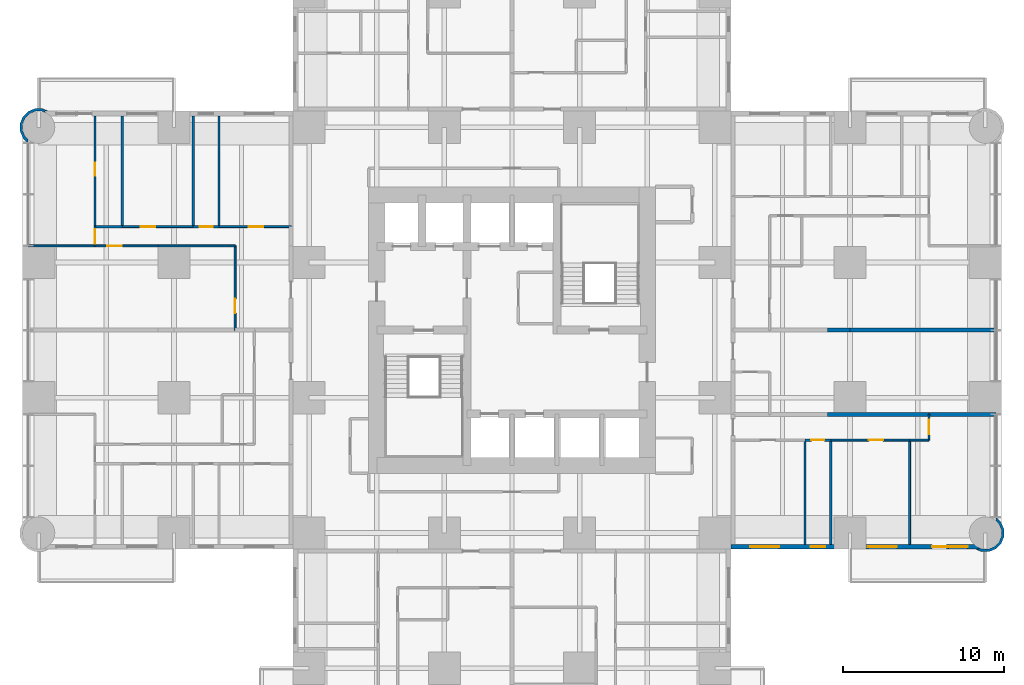
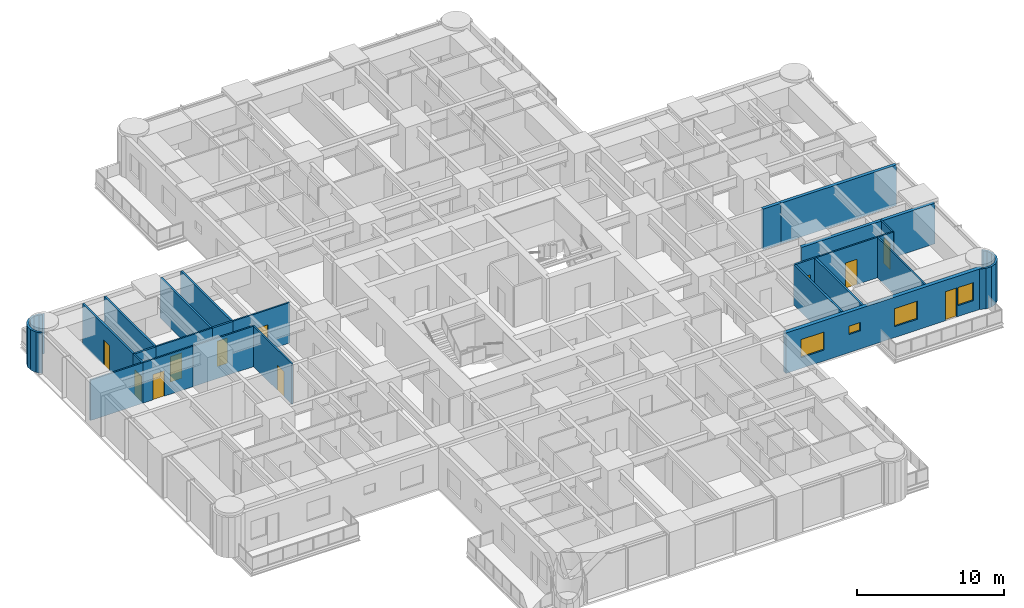
# One storey, part 11 of 17: 27 walls, 11 doors, 4 windows, 15 openings.
"""IFC4 building model written with IfcOpenShell, lengths in metres."""

from ifc_helpers import new_model, si_unit, direction, frame, frame_2d, origin, place, context, subcontext, project, spatial, polyline, rectangle, outline, extrude, material, layer, layer_set, type_object, element, fill, save


model = new_model("IFC4")

# Units and contexts
model_context = context("Model", 3, precision=1e-05, world=origin(), true_north=direction((0.0, 1.0)))
body_context = subcontext(model_context, "Body", "Model", "MODEL_VIEW")
ifc_project = project(units=[si_unit("LENGTHUNIT", "METRE"), si_unit("AREAUNIT", "SQUARE_METRE"), si_unit("VOLUMEUNIT", "CUBIC_METRE"), si_unit("PLANEANGLEUNIT", "RADIAN"), si_unit("MASSUNIT", "GRAM", prefix="KILO")], contexts=[model_context])

# Site, building, storey
site_placement = place(None, origin())
site = spatial("IfcSite", under=ifc_project, at=site_placement, CompositionType="ELEMENT")
building_placement = place(site_placement, origin())
building = spatial("IfcBuilding", under=site, at=building_placement, Name="Torre Alcanfor", CompositionType="ELEMENT")
storey_placement = place(building_placement, frame((0.0, 0.0, 99.300048828125)))
storey = spatial("IfcBuildingStorey", under=building, at=storey_placement, Name="L25", CompositionType="ELEMENT", Elevation=99.300048828125)

# Wall, opening, door
ifc_material_1 = material(Name="Gypsum board on steel studs", Category="steel")
ifc_layer_1 = layer(ifc_material_1, 0.1201171875)
ifc_layer_set_1 = layer_set([ifc_layer_1], Name="Apartment partition 120")
wall_type_1 = type_object("IfcWallType", Name="Apartment partition 120", PredefinedType="PARTITIONING", material=ifc_layer_set_1)
wall_1_placement = place(storey_placement, frame((54.10009765625, 22.571044921875, 0.0), z_axis=(0.0, 0.0, 1.0), x_axis=(-1.0, 0.0, 0.0)))
wall_1 = element("IfcWall", 1, at=wall_1_placement, inside=storey, type_object=wall_type_1, Name="Partition L25-E2B-HALL / L25-E2B-MASTER", PredefinedType="PARTITIONING", context=body_context, shape_type="SweptSolid", body=[
    extrude(rectangle(XDim=4.900146484375, YDim=0.1201171875, at=frame_2d((2.4501953125, 0.0))), origin(), (0.0, 0.0, 1.0), 3.349853515625),
])
opening_1_placement = place(wall_1_placement, frame((1.64990234375, 0.0, 0.0)))
opening_1 = element("IfcOpeningElement", 2, at=opening_1_placement, cuts=wall_1, Name="Opening D-R1", PredefinedType="OPENING", context=body_context, shape_type="SweptSolid", body=[
    extrude(rectangle(XDim=0.89990234375, YDim=2.10009765625, at=frame_2d((0.449951171875, 1.050048828125))), frame((0.0, 0.070068359375, 0.0), z_axis=(0.0, -1.0, 0.0), x_axis=(1.0, 0.0, 0.0)), (0.0, 0.0, 1.0), 0.14013671875),
])
ifc_material_2 = material(Name="Timber", Category="wood")
door_type_1 = type_object("IfcDoorType", Name="Internal door 900x2100", OperationType="SINGLE_SWING_LEFT", PredefinedType="DOOR", material=ifc_material_2)
door_1_placement = place(opening_1_placement, origin())
door_1 = element("IfcDoor", 3, at=door_1_placement, inside=storey, type_object=door_type_1, Name="Door L25-E2B master", OperationType="SINGLE_SWING_LEFT", OverallHeight=2.10009765625, OverallWidth=0.89990234375, PredefinedType="DOOR", context=body_context, shape_type="SweptSolid", body=[
    extrude(rectangle(XDim=0.89990234375, YDim=2.10009765625, at=frame_2d((0.449951171875, 1.050048828125))), frame((0.0, 0.02490234375, 0.0), z_axis=(0.0, -1.0, 0.0), x_axis=(1.0, 0.0, 0.0)), (0.0, 0.0, 1.0), 0.050048828125),
])
fill(opening_1, door_1)

# Wall
wall_2_placement = place(storey_placement, frame((55.300048828125, 22.571044921875, 0.0), z_axis=(0.0, 0.0, 1.0), x_axis=(-1.0, 0.0, 0.0)))
element("IfcWall", 4, at=wall_2_placement, inside=storey, type_object=wall_type_1, Name="Partition L25-E2B-HALL / L25-E2B-KITCHEN", PredefinedType="PARTITIONING", context=body_context, shape_type="SweptSolid", body=[
    extrude(rectangle(XDim=1.199951171875, YDim=0.1201171875, at=frame_2d((0.60009765625, 0.0))), origin(), (0.0, 0.0, 1.0), 3.349853515625),
])

# Wall, opening, door
wall_3_placement = place(storey_placement, frame((55.300048828125, 24.1708984375, 0.0), z_axis=(0.0, 0.0, 1.0), x_axis=(0.0, -1.0, 0.0)))
wall_3 = element("IfcWall", 5, at=wall_3_placement, inside=storey, type_object=wall_type_1, Name="Partition L25-E2B-HALL / L25-E2B-LIVING", PredefinedType="PARTITIONING", context=body_context, shape_type="SweptSolid", body=[
    extrude(rectangle(XDim=1.599853515625, YDim=0.1201171875, at=frame_2d((0.7998046875, 0.0))), origin(), (0.0, 0.0, 1.0), 3.349853515625),
])
opening_2_placement = place(wall_3_placement, frame((0.35009765625, 0.0, 0.0)))
opening_2 = element("IfcOpeningElement", 6, at=opening_2_placement, cuts=wall_3, Name="Opening D-R1", PredefinedType="OPENING", context=body_context, shape_type="SweptSolid", body=[
    extrude(rectangle(XDim=0.89990234375, YDim=2.10009765625, at=frame_2d((0.449951171875, 1.050048828125))), frame((0.0, 0.070068359375, 0.0), z_axis=(0.0, -1.0, 0.0), x_axis=(1.0, 0.0, 0.0)), (0.0, 0.0, 1.0), 0.14013671875),
])
door_2_placement = place(opening_2_placement, origin())
door_2 = element("IfcDoor", 7, at=door_2_placement, inside=storey, type_object=door_type_1, Name="Door L25-E2B living", OperationType="SINGLE_SWING_LEFT", OverallHeight=2.10009765625, OverallWidth=0.89990234375, PredefinedType="DOOR", context=body_context, shape_type="SweptSolid", body=[
    extrude(rectangle(XDim=0.89990234375, YDim=2.10009765625, at=frame_2d((0.449951171875, 1.050048828125))), frame((0.0, 0.02490234375, 0.0), z_axis=(0.0, -1.0, 0.0), x_axis=(1.0, 0.0, 0.0)), (0.0, 0.0, 1.0), 0.050048828125),
])
fill(opening_2, door_2)

# Wall
wall_4_placement = place(storey_placement, frame((54.10009765625, 22.571044921875, 0.0), z_axis=(0.0, 0.0, 1.0), x_axis=(0.0, -1.0, 0.0)))
element("IfcWall", 8, at=wall_4_placement, inside=storey, type_object=wall_type_1, Name="Partition L25-E2B-MASTER / L25-E2B-KITCHEN", PredefinedType="PARTITIONING", context=body_context, shape_type="SweptSolid", body=[
    extrude(rectangle(XDim=6.470947265625, YDim=0.1201171875, at=frame_2d((3.2353515625, 0.0))), origin(), (0.0, 0.0, 1.0), 3.349853515625),
])

# Wall, opening, door
wall_5_placement = place(storey_placement, frame((12.199951171875, 29.39990234375, 0.0), z_axis=(0.0, 0.0, 1.0), x_axis=(0.0, 1.0, 0.0)))
wall_5 = element("IfcWall", 9, at=wall_5_placement, inside=storey, type_object=wall_type_1, Name="Partition L25-W2-ZAG / L25-W2-KITCHEN", PredefinedType="PARTITIONING", context=body_context, shape_type="SweptSolid", body=[
    extrude(rectangle(XDim=5.22900390625, YDim=0.1201171875, at=frame_2d((2.614501953125, 0.0))), origin(), (0.0, 0.0, 1.0), 3.349853515625),
])
opening_3_placement = place(wall_5_placement, frame((1.050048828125, 0.0, 0.0)))
opening_3 = element("IfcOpeningElement", 10, at=opening_3_placement, cuts=wall_5, Name="Opening D-R1", PredefinedType="OPENING", context=body_context, shape_type="SweptSolid", body=[
    extrude(rectangle(XDim=0.89990234375, YDim=2.10009765625, at=frame_2d((0.449951171875, 1.050048828125))), frame((0.0, 0.070068359375, 0.0), z_axis=(0.0, -1.0, 0.0), x_axis=(1.0, 0.0, 0.0)), (0.0, 0.0, 1.0), 0.14013671875),
])
door_3_placement = place(opening_3_placement, origin())
door_3 = element("IfcDoor", 11, at=door_3_placement, inside=storey, type_object=door_type_1, Name="Door L25-W2 kitchen", OperationType="SINGLE_SWING_LEFT", OverallHeight=2.10009765625, OverallWidth=0.89990234375, PredefinedType="DOOR", context=body_context, shape_type="SweptSolid", body=[
    extrude(rectangle(XDim=0.89990234375, YDim=2.10009765625, at=frame_2d((0.449951171875, 1.050048828125))), frame((0.0, 0.02490234375, 0.0), z_axis=(0.0, -1.0, 0.0), x_axis=(1.0, 0.0, 0.0)), (0.0, 0.0, 1.0), 0.050048828125),
])
fill(opening_3, door_3)

# Wall
wall_6_placement = place(storey_placement, frame((7.39990234375, 34.62890625, 0.0), z_axis=(0.0, 0.0, 1.0), x_axis=(1.0, 0.0, 0.0)))
element("IfcWall", 12, at=wall_6_placement, inside=storey, type_object=wall_type_1, Name="Partition L25-W2-KITCHEN / L25-W2-HALL", PredefinedType="PARTITIONING", context=body_context, shape_type="SweptSolid", body=[
    extrude(rectangle(XDim=4.800048828125, YDim=0.1201171875, at=frame_2d((2.39990234375, 0.0))), origin(), (0.0, 0.0, 1.0), 3.349853515625),
])

# Wall, opening, door
wall_7_placement = place(storey_placement, frame((3.5, 34.62890625, 0.0), z_axis=(0.0, 0.0, 1.0), x_axis=(1.0, 0.0, 0.0)))
wall_7 = element("IfcWall", 13, at=wall_7_placement, inside=storey, type_object=wall_type_1, Name="Partition L25-W2-LIVING / L25-W2-HALL", PredefinedType="PARTITIONING", context=body_context, shape_type="SweptSolid", body=[
    extrude(rectangle(XDim=3.89990234375, YDim=0.1201171875, at=frame_2d((1.949951171875, 0.0))), origin(), (0.0, 0.0, 1.0), 3.349853515625),
])
opening_4_placement = place(wall_7_placement, frame((0.75, 0.0, 0.0)))
opening_4 = element("IfcOpeningElement", 14, at=opening_4_placement, cuts=wall_7, Name="Opening D-R1", PredefinedType="OPENING", context=body_context, shape_type="SweptSolid", body=[
    extrude(rectangle(XDim=0.89990234375, YDim=2.10009765625, at=frame_2d((0.449951171875, 1.050048828125))), frame((0.0, 0.070068359375, 0.0), z_axis=(0.0, -1.0, 0.0), x_axis=(1.0, 0.0, 0.0)), (0.0, 0.0, 1.0), 0.14013671875),
])
door_4_placement = place(opening_4_placement, frame((0.89990234375, 0.0, 0.0), z_axis=(0.0, 0.0, 1.0), x_axis=(-1.0, 0.0, 0.0)))
door_4 = element("IfcDoor", 15, at=door_4_placement, inside=storey, type_object=door_type_1, Name="Door L25-W2 living", OperationType="SINGLE_SWING_LEFT", OverallHeight=2.10009765625, OverallWidth=0.89990234375, PredefinedType="DOOR", context=body_context, shape_type="SweptSolid", body=[
    extrude(rectangle(XDim=0.89990234375, YDim=2.10009765625, at=frame_2d((0.449951171875, 1.050048828125))), frame((0.0, 0.025146484375, 0.0), z_axis=(0.0, -1.0, 0.0), x_axis=(1.0, 0.0, 0.0)), (0.0, 0.0, 1.0), 0.050048828125),
])
fill(opening_4, door_4)

# Wall
wall_8_placement = place(storey_placement, frame((-0.64990234375, 34.62890625, 0.0), z_axis=(0.0, 0.0, 1.0), x_axis=(1.0, 0.0, 0.0)))
element("IfcWall", 16, at=wall_8_placement, inside=storey, type_object=wall_type_1, Name="Partition L25-W2-LIVING / L25-W2-MASTER", PredefinedType="PARTITIONING", context=body_context, shape_type="SweptSolid", body=[
    extrude(rectangle(XDim=4.14990234375, YDim=0.1201171875, at=frame_2d((2.074951171875, 0.0))), origin(), (0.0, 0.0, 1.0), 3.349853515625),
])

# Wall, opening, door
wall_9_placement = place(storey_placement, frame((11.199951171875, 35.8291015625, 0.0), z_axis=(0.0, 0.0, 1.0), x_axis=(1.0, 0.0, 0.0)))
wall_9 = element("IfcWall", 17, at=wall_9_placement, inside=storey, type_object=wall_type_1, Name="Partition L25-W2-HALL / L25-W2-BED3", PredefinedType="PARTITIONING", context=body_context, shape_type="SweptSolid", body=[
    extrude(rectangle(XDim=4.47509765625, YDim=0.1201171875, at=frame_2d((2.237548828125, 0.0))), origin(), (0.0, 0.0, 1.0), 3.349853515625),
])
opening_5_placement = place(wall_9_placement, frame((1.85009765625, 0.0, 0.0)))
opening_5 = element("IfcOpeningElement", 18, at=opening_5_placement, cuts=wall_9, Name="Opening D-R1", PredefinedType="OPENING", context=body_context, shape_type="SweptSolid", body=[
    extrude(rectangle(XDim=0.89990234375, YDim=2.10009765625, at=frame_2d((0.449951171875, 1.050048828125))), frame((0.0, 0.070068359375, 0.0), z_axis=(0.0, -1.0, 0.0), x_axis=(1.0, 0.0, 0.0)), (0.0, 0.0, 1.0), 0.14013671875),
])
door_5_placement = place(opening_5_placement, origin())
door_5 = element("IfcDoor", 19, at=door_5_placement, inside=storey, type_object=door_type_1, Name="Door L25-W2 bed3", OperationType="SINGLE_SWING_RIGHT", OverallHeight=2.10009765625, OverallWidth=0.89990234375, PredefinedType="DOOR", context=body_context, shape_type="SweptSolid", body=[
    extrude(rectangle(XDim=0.89990234375, YDim=2.10009765625, at=frame_2d((0.449951171875, 1.050048828125))), frame((0.0, 0.02490234375, 0.0), z_axis=(0.0, -1.0, 0.0), x_axis=(1.0, 0.0, 0.0)), (0.0, 0.0, 1.0), 0.050048828125),
])
fill(opening_5, door_5)

wall_10_placement = place(storey_placement, frame((5.199951171875, 35.8291015625, 0.0), z_axis=(0.0, 0.0, 1.0), x_axis=(1.0, 0.0, 0.0)))
wall_10 = element("IfcWall", 20, at=wall_10_placement, inside=storey, type_object=wall_type_1, Name="Partition L25-W2-HALL / L25-W2-BED2", PredefinedType="PARTITIONING", context=body_context, shape_type="SweptSolid", body=[
    extrude(rectangle(XDim=4.400146484375, YDim=0.1201171875, at=frame_2d((2.2001953125, 0.0))), origin(), (0.0, 0.0, 1.0), 3.349853515625),
])
opening_6_placement = place(wall_10_placement, frame((1.14990234375, 0.0, 0.0)))
opening_6 = element("IfcOpeningElement", 21, at=opening_6_placement, cuts=wall_10, Name="Opening D-R1", PredefinedType="OPENING", context=body_context, shape_type="SweptSolid", body=[
    extrude(rectangle(XDim=0.89990234375, YDim=2.10009765625, at=frame_2d((0.449951171875, 1.050048828125))), frame((0.0, 0.070068359375, 0.0), z_axis=(0.0, -1.0, 0.0), x_axis=(1.0, 0.0, 0.0)), (0.0, 0.0, 1.0), 0.14013671875),
])
door_6_placement = place(opening_6_placement, origin())
door_6 = element("IfcDoor", 22, at=door_6_placement, inside=storey, type_object=door_type_1, Name="Door L25-W2 bed2", OperationType="SINGLE_SWING_LEFT", OverallHeight=2.10009765625, OverallWidth=0.89990234375, PredefinedType="DOOR", context=body_context, shape_type="SweptSolid", body=[
    extrude(rectangle(XDim=0.89990234375, YDim=2.10009765625, at=frame_2d((0.449951171875, 1.050048828125))), frame((0.0, 0.02490234375, 0.0), z_axis=(0.0, -1.0, 0.0), x_axis=(1.0, 0.0, 0.0)), (0.0, 0.0, 1.0), 0.050048828125),
])
fill(opening_6, door_6)

wall_11_placement = place(storey_placement, frame((3.5, 34.62890625, 0.0), z_axis=(0.0, 0.0, 1.0), x_axis=(0.0, 1.0, 0.0)))
wall_11 = element("IfcWall", 23, at=wall_11_placement, inside=storey, type_object=wall_type_1, Name="Partition L25-W2-HALL / L25-W2-MASTER", PredefinedType="PARTITIONING", context=body_context, shape_type="SweptSolid", body=[
    extrude(rectangle(XDim=1.2001953125, YDim=0.1201171875, at=frame_2d((0.60009765625, 0.0))), origin(), (0.0, 0.0, 1.0), 3.349853515625),
])
opening_7_placement = place(wall_11_placement, frame((0.15087890625, 0.0, 0.0)))
opening_7 = element("IfcOpeningElement", 24, at=opening_7_placement, cuts=wall_11, Name="Opening D-R1", PredefinedType="OPENING", context=body_context, shape_type="SweptSolid", body=[
    extrude(rectangle(XDim=0.89990234375, YDim=2.10009765625, at=frame_2d((0.449951171875, 1.050048828125))), frame((0.0, 0.070068359375, 0.0), z_axis=(0.0, -1.0, 0.0), x_axis=(1.0, 0.0, 0.0)), (0.0, 0.0, 1.0), 0.14013671875),
])
door_7_placement = place(opening_7_placement, origin())
door_7 = element("IfcDoor", 25, at=door_7_placement, inside=storey, type_object=door_type_1, Name="Door L25-W2 master", OperationType="SINGLE_SWING_LEFT", OverallHeight=2.10009765625, OverallWidth=0.89990234375, PredefinedType="DOOR", context=body_context, shape_type="SweptSolid", body=[
    extrude(rectangle(XDim=0.89990234375, YDim=2.10009765625, at=frame_2d((0.449951171875, 1.050048828125))), frame((0.0, 0.02490234375, 0.0), z_axis=(0.0, -1.0, 0.0), x_axis=(1.0, 0.0, 0.0)), (0.0, 0.0, 1.0), 0.050048828125),
])
fill(opening_7, door_7)

# Wall, openings, door, windows
ifc_material_3 = material(Name="Limestone cladding", Category="masonry")
ifc_layer_2 = layer(ifc_material_3, 0.0400390625, Name="Facing")
ifc_material_4 = material(Name="Ventilated air cavity")
ifc_layer_3 = layer(ifc_material_4, 0.02001953125, ventilated=True, Name="Ventilated joint")
ifc_material_5 = material(Name="Mineral wool insulation", Category="insulation")
ifc_layer_4 = layer(ifc_material_5, 0.10009765625, Name="Insulation")
ifc_material_6 = material(Name="Concrete f'c 35 MPa", Category="concrete")
ifc_layer_5 = layer(ifc_material_6, 0.139892578125, Name="Backing")
ifc_layer_set_2 = layer_set([ifc_layer_2, ifc_layer_3, ifc_layer_4, ifc_layer_5], Name="External wall stone-clad 300")
wall_type_2 = type_object("IfcWallType", Name="External wall stone-clad 300", PredefinedType="SOLIDWALL", material=ifc_layer_set_2)
wall_12_placement = place(storey_placement, frame((43.0, 15.949951171875, 0.0), z_axis=(0.0, 0.0, 1.0), x_axis=(1.0, 0.0, 0.0)))
wall_12 = element("IfcWall", 26, at=wall_12_placement, inside=storey, type_object=wall_type_2, Name="External wall L25 7", PredefinedType="SOLIDWALL", context=body_context, shape_type="SweptSolid", body=[
    extrude(rectangle(XDim=15.39990234375, YDim=0.300048828125, at=frame_2d((7.699951171875, 0.0))), origin(), (0.0, 0.0, 1.0), 3.349853515625),
])
opening_8_placement = place(wall_12_placement, frame((1.199951171875, 0.0, 0.89990234375)))
opening_8 = element("IfcOpeningElement", 27, at=opening_8_placement, cuts=wall_12, Name="Opening W2", PredefinedType="OPENING", context=body_context, shape_type="SweptSolid", body=[
    extrude(rectangle(XDim=1.800048828125, YDim=1.5, at=frame_2d((0.89990234375, 0.75))), frame((0.0, 0.159912109375, 0.0), z_axis=(0.0, -1.0, 0.0), x_axis=(1.0, 0.0, 0.0)), (0.0, 0.0, 1.0), 0.320068359375),
])
opening_9_placement = place(wall_12_placement, frame((4.949951171875, 0.0, 1.5)))
opening_9 = element("IfcOpeningElement", 28, at=opening_9_placement, cuts=wall_12, Name="Opening W3", PredefinedType="OPENING", context=body_context, shape_type="SweptSolid", body=[
    extrude(rectangle(XDim=0.89990234375, YDim=0.699951171875, at=frame_2d((0.449951171875, 0.35009765625))), frame((0.0, 0.159912109375, 0.0), z_axis=(0.0, -1.0, 0.0), x_axis=(1.0, 0.0, 0.0)), (0.0, 0.0, 1.0), 0.320068359375),
])
opening_10_placement = place(wall_12_placement, frame((8.5, 0.0, 0.89990234375)))
opening_10 = element("IfcOpeningElement", 29, at=opening_10_placement, cuts=wall_12, Name="Opening W2", PredefinedType="OPENING", context=body_context, shape_type="SweptSolid", body=[
    extrude(rectangle(XDim=1.800048828125, YDim=1.5, at=frame_2d((0.89990234375, 0.75))), frame((0.0, 0.159912109375, 0.0), z_axis=(0.0, -1.0, 0.0), x_axis=(1.0, 0.0, 0.0)), (0.0, 0.0, 1.0), 0.320068359375),
])
opening_11_placement = place(wall_12_placement, frame((12.5, 0.0, 0.0)))
opening_11 = element("IfcOpeningElement", 30, at=opening_11_placement, cuts=wall_12, Name="Opening D-B1", PredefinedType="OPENING", context=body_context, shape_type="SweptSolid", body=[
    extrude(rectangle(XDim=0.89990234375, YDim=2.39990234375, at=frame_2d((0.449951171875, 1.199951171875))), frame((0.0, 0.159912109375, 0.0), z_axis=(0.0, -1.0, 0.0), x_axis=(1.0, 0.0, 0.0)), (0.0, 0.0, 1.0), 0.320068359375),
])
opening_12_placement = place(wall_12_placement, frame((13.5, 0.0, 0.89990234375)))
opening_12 = element("IfcOpeningElement", 31, at=opening_12_placement, cuts=wall_12, Name="Opening W4", PredefinedType="OPENING", context=body_context, shape_type="SweptSolid", body=[
    extrude(rectangle(XDim=1.199951171875, YDim=1.5, at=frame_2d((0.60009765625, 0.75))), frame((0.0, 0.159912109375, 0.0), z_axis=(0.0, -1.0, 0.0), x_axis=(1.0, 0.0, 0.0)), (0.0, 0.0, 1.0), 0.320068359375),
])
ifc_material_7 = material(Name="Aluminium and glass", Category="aluminium")
door_type_2 = type_object("IfcDoorType", Name="Balcony door glazed 900x2400", OperationType="SINGLE_SWING_LEFT", PredefinedType="DOOR", material=ifc_material_7)
door_8_placement = place(opening_11_placement, origin())
door_8 = element("IfcDoor", 32, at=door_8_placement, inside=storey, type_object=door_type_2, Name="Balcony door L25-E2", OperationType="SINGLE_SWING_LEFT", OverallHeight=2.39990234375, OverallWidth=0.89990234375, PredefinedType="DOOR", context=body_context, shape_type="SweptSolid", body=[
    extrude(rectangle(XDim=0.89990234375, YDim=2.39990234375, at=frame_2d((0.449951171875, 1.199951171875))), frame((0.0, 0.02490234375, 0.0), z_axis=(0.0, -1.0, 0.0), x_axis=(1.0, 0.0, 0.0)), (0.0, 0.0, 1.0), 0.050048828125),
])
fill(opening_11, door_8)
ifc_material_8 = material(Name="Aluminium frame with clear double glazing", Category="aluminium")
window_type_1 = type_object("IfcWindowType", Name="Window bathroom 900x700", PartitioningType="SINGLE_PANEL", PredefinedType="WINDOW", material=ifc_material_8)
window_1_placement = place(opening_9_placement, origin())
window_1 = element("IfcWindow", 33, at=window_1_placement, inside=storey, type_object=window_type_1, Name="Window W3 L25-E2", OverallHeight=0.699951171875, OverallWidth=0.89990234375, PartitioningType="SINGLE_PANEL", PredefinedType="WINDOW", context=body_context, shape_type="SweptSolid", body=[
    extrude(rectangle(XDim=0.89990234375, YDim=0.699951171875, at=frame_2d((0.449951171875, 0.35009765625))), frame((0.0, 0.030029296875, 0.0), z_axis=(0.0, -1.0, 0.0), x_axis=(1.0, 0.0, 0.0)), (0.0, 0.0, 1.0), 0.06005859375),
])
fill(opening_9, window_1)
ifc_material_9 = material(Name="Aluminium frame with clear double glazing", Category="aluminium")
window_type_2 = type_object("IfcWindowType", Name="Window bedroom 1200x1500", PartitioningType="SINGLE_PANEL", PredefinedType="WINDOW", material=ifc_material_9)
window_2_placement = place(opening_12_placement, origin())
window_2 = element("IfcWindow", 34, at=window_2_placement, inside=storey, type_object=window_type_2, Name="Window W4 L25-E2", OverallHeight=1.5, OverallWidth=1.199951171875, PartitioningType="SINGLE_PANEL", PredefinedType="WINDOW", context=body_context, shape_type="SweptSolid", body=[
    extrude(rectangle(XDim=1.199951171875, YDim=1.5, at=frame_2d((0.60009765625, 0.75))), frame((0.0, 0.030029296875, 0.0), z_axis=(0.0, -1.0, 0.0), x_axis=(1.0, 0.0, 0.0)), (0.0, 0.0, 1.0), 0.06005859375),
])
fill(opening_12, window_2)
ifc_material_10 = material(Name="Aluminium frame with clear double glazing", Category="aluminium")
window_type_3 = type_object("IfcWindowType", Name="Window bedroom 1800x1500", PartitioningType="SINGLE_PANEL", PredefinedType="WINDOW", material=ifc_material_10)
window_3_placement = place(opening_8_placement, origin())
window_3 = element("IfcWindow", 35, at=window_3_placement, inside=storey, type_object=window_type_3, Name="Window W2 L25-E2", OverallHeight=1.5, OverallWidth=1.800048828125, PartitioningType="SINGLE_PANEL", PredefinedType="WINDOW", context=body_context, shape_type="SweptSolid", body=[
    extrude(rectangle(XDim=1.800048828125, YDim=1.5, at=frame_2d((0.89990234375, 0.75))), frame((0.0, 0.030029296875, 0.0), z_axis=(0.0, -1.0, 0.0), x_axis=(1.0, 0.0, 0.0)), (0.0, 0.0, 1.0), 0.06005859375),
])
fill(opening_8, window_3)
window_4_placement = place(opening_10_placement, origin())
window_4 = element("IfcWindow", 36, at=window_4_placement, inside=storey, type_object=window_type_3, Name="Window W2 L25-E2", OverallHeight=1.5, OverallWidth=1.800048828125, PartitioningType="SINGLE_PANEL", PredefinedType="WINDOW", context=body_context, shape_type="SweptSolid", body=[
    extrude(rectangle(XDim=1.800048828125, YDim=1.5, at=frame_2d((0.89990234375, 0.75))), frame((0.0, 0.030029296875, 0.0), z_axis=(0.0, -1.0, 0.0), x_axis=(1.0, 0.0, 0.0)), (0.0, 0.0, 1.0), 0.06005859375),
])
fill(opening_10, window_4)

# Walls
ifc_material_11 = material(Name="Concrete block masonry, hollow blocks NMX-C-404 9 MPa", Category="masonry")
ifc_layer_6 = layer(ifc_material_11, 0.25)
ifc_layer_set_3 = layer_set([ifc_layer_6], Name="Party wall 250 EI 60")
wall_type_3 = type_object("IfcWallType", Name="Party wall 250 EI 60", PredefinedType="PARTITIONING", material=ifc_layer_set_3)
wall_13_placement = place(storey_placement, frame((50.39990234375, 29.39990234375, 0.0), z_axis=(0.0, 0.0, 1.0), x_axis=(-1.0, 0.0, 0.0)))
element("IfcWall", 37, at=wall_13_placement, inside=storey, type_object=wall_type_3, Name="Partition L25-E1-KITCHEN / L25-E2A-STUDIO", PredefinedType="PARTITIONING", context=body_context, shape_type="SweptSolid", body=[
    extrude(rectangle(XDim=1.39990234375, YDim=0.25, at=frame_2d((0.699951171875, 0.0))), origin(), (0.0, 0.0, 1.0), 3.349853515625),
])
wall_14_placement = place(storey_placement, frame((59.449951171875, 29.39990234375, 0.0), z_axis=(0.0, 0.0, 1.0), x_axis=(-1.0, 0.0, 0.0)))
element("IfcWall", 38, at=wall_14_placement, inside=storey, type_object=wall_type_3, Name="Partition L25-E1-LIVING / L25-E2A-STUDIO", PredefinedType="PARTITIONING", context=body_context, shape_type="SweptSolid", body=[
    extrude(rectangle(XDim=9.050048828125, YDim=0.25, at=frame_2d((4.52490234375, 0.0))), origin(), (0.0, 0.0, 1.0), 3.349853515625),
])
wall_15_placement = place(storey_placement, frame((55.300048828125, 24.1708984375, 0.0), z_axis=(0.0, 0.0, 1.0), x_axis=(-1.0, 0.0, 0.0)))
element("IfcWall", 39, at=wall_15_placement, inside=storey, type_object=wall_type_3, Name="Partition L25-E2A-STUDIO / L25-E2B-HALL", PredefinedType="PARTITIONING", context=body_context, shape_type="SweptSolid", body=[
    extrude(rectangle(XDim=6.300048828125, YDim=0.25, at=frame_2d((3.14990234375, 0.0))), origin(), (0.0, 0.0, 1.0), 3.349853515625),
])
wall_16_placement = place(storey_placement, frame((59.449951171875, 24.1708984375, 0.0), z_axis=(0.0, 0.0, 1.0), x_axis=(-1.0, 0.0, 0.0)))
element("IfcWall", 40, at=wall_16_placement, inside=storey, type_object=wall_type_3, Name="Partition L25-E2A-STUDIO / L25-E2B-LIVING", PredefinedType="PARTITIONING", context=body_context, shape_type="SweptSolid", body=[
    extrude(rectangle(XDim=4.14990234375, YDim=0.25, at=frame_2d((2.074951171875, 0.0))), origin(), (0.0, 0.0, 1.0), 3.349853515625),
])
ifc_layer_7 = layer(ifc_material_3, 0.0400390625, Name="Facing")
ifc_layer_8 = layer(ifc_material_4, 0.02001953125, ventilated=True, Name="Ventilated joint")
ifc_layer_9 = layer(ifc_material_5, 0.10009765625, Name="Insulation")
ifc_layer_10 = layer(ifc_material_6, 0.139892578125, Name="Backing")
ifc_layer_set_4 = layer_set([ifc_layer_7, ifc_layer_8, ifc_layer_9, ifc_layer_10], Name="Rounded corner pier stone-clad 300")
wall_type_4 = type_object("IfcWallType", Name="Rounded corner pier stone-clad 300", PredefinedType="SOLIDWALL", material=ifc_layer_set_4)
wall_17_placement = place(storey_placement, frame((0.56710175, 42.919127633, 0.0), z_axis=(0.0, 0.0, 1.0), x_axis=(-0.831199417842, 0.555974394895, 0.0)))
element("IfcWall", 41, at=wall_17_placement, inside=storey, type_object=wall_type_4, Name="Corner pier L25 13", PredefinedType="SOLIDWALL", context=body_context, shape_type="SweptSolid", body=[
    extrude(outline(polyline([(0.0035346486096882596, -0.09493172298277563), (0.4134762276337793, -0.013116324048090655), (0.7970130683862647, 0.2434245954711461), (1.0531909726939004, 0.6271376014735981), (1.1430288280848282, 1.0799333504065571), (1.0527519446898332, 1.532385418536847), (0.7962110251705964, 1.9159222592893324), (0.41249801916814444, 2.1721001635969683), (0.017275402111477822, 2.2505151054378154), (-0.02310757741748759, 2.223503654123356), (0.074893768557586, 2.0769885223649993), (0.3505674706005393, 2.0222929245428487), (0.6816138269103391, 1.8013802534353145), (0.9031348748761563, 1.470199235388724), (0.9809251585620924, 1.0798881158367415), (0.903383733639781, 0.6890681500412033), (0.6824710625322469, 0.3580217937314035), (0.35129004448565626, 0.13650074576558635), (0.12607933250637846, 0.09160085349504563), (0.1839390144451166, 0.025737524346643142), (0.0035346486096882596, -0.09493172298277563)])), origin(), (0.0, 0.0, 1.0), 3.349853515625),
])
wall_18_placement = place(storey_placement, frame((58.23289825, 15.880872367, 0.0), z_axis=(0.0, 0.0, 1.0), x_axis=(0.831199417842, -0.555974394895, 0.0)))
element("IfcWall", 42, at=wall_18_placement, inside=storey, type_object=wall_type_4, Name="Corner pier L25 17", PredefinedType="SOLIDWALL", context=body_context, shape_type="SweptSolid", body=[
    extrude(outline(polyline([(0.07490720727941269, 2.077056255461323), (0.35058090932236585, 2.0223606576391724), (0.6817630015684193, 1.801245056986267), (0.903148313597983, 1.470266968485048), (0.9810743332201726, 1.079752919387694), (0.9033971723616075, 0.6891358831375273), (0.6822815717087017, 0.357953790891474), (0.3513034832074829, 0.13656847886191043), (0.12609277122820509, 0.09166858659136967), (0.18374952362157154, 0.02566952150671363), (0.0035480873315148972, -0.09486398988645157), (0.41362540229185946, -0.013251520497138292), (0.7971622430443449, 0.2432893990220985), (1.053204411415727, 0.6272053345699222), (1.1431780027429084, 1.0797981539575094), (1.0527653834116597, 1.5324531516331712), (0.796224463892423, 1.9159899923856565), (0.4125114578899711, 2.172167896693292), (0.01728884083330451, 2.2505828385341395), (-0.023094138695660904, 2.22357138721968), (0.07490720727941269, 2.077056255461323)])), origin(), (0.0, 0.0, 1.0), 3.349853515625),
])

# Wall, opening, door
ifc_material_12 = material(Name="Cement board on steel studs", Category="steel")
ifc_layer_11 = layer(ifc_material_12, 0.14990234375)
ifc_layer_set_5 = layer_set([ifc_layer_11], Name="Wet area partition 150")
wall_type_5 = type_object("IfcWallType", Name="Wet area partition 150", PredefinedType="PARTITIONING", material=ifc_layer_set_5)
wall_19_placement = place(storey_placement, frame((49.199951171875, 22.571044921875, 0.0), z_axis=(0.0, 0.0, 1.0), x_axis=(-1.0, 0.0, 0.0)))
wall_19 = element("IfcWall", 43, at=wall_19_placement, inside=storey, type_object=wall_type_5, Name="Partition L25-E2B-HALL / L25-E2B-BATH", PredefinedType="PARTITIONING", context=body_context, shape_type="SweptSolid", body=[
    extrude(rectangle(XDim=1.599853515625, YDim=0.14990234375, at=frame_2d((0.7998046875, 0.0))), origin(), (0.0, 0.0, 1.0), 3.349853515625),
])
opening_13_placement = place(wall_19_placement, frame((0.39990234375, 0.0, 0.0)))
opening_13 = element("IfcOpeningElement", 44, at=opening_13_placement, cuts=wall_19, Name="Opening D-R2", PredefinedType="OPENING", context=body_context, shape_type="SweptSolid", body=[
    extrude(rectangle(XDim=0.800048828125, YDim=2.10009765625, at=frame_2d((0.39990234375, 1.050048828125))), frame((0.0, 0.0849609375, 0.0), z_axis=(0.0, -1.0, 0.0), x_axis=(1.0, 0.0, 0.0)), (0.0, 0.0, 1.0), 0.169921875),
])
ifc_material_13 = material(Name="Timber", Category="wood")
door_type_3 = type_object("IfcDoorType", Name="Bathroom door 800x2100", OperationType="SINGLE_SWING_LEFT", PredefinedType="DOOR", material=ifc_material_13)
door_9_placement = place(opening_13_placement, origin())
door_9 = element("IfcDoor", 45, at=door_9_placement, inside=storey, type_object=door_type_3, Name="Door L25-E2B bath", OperationType="SINGLE_SWING_LEFT", OverallHeight=2.10009765625, OverallWidth=0.800048828125, PredefinedType="DOOR", context=body_context, shape_type="SweptSolid", body=[
    extrude(rectangle(XDim=0.800048828125, YDim=2.10009765625, at=frame_2d((0.39990234375, 1.050048828125))), frame((0.0, 0.02490234375, 0.0), z_axis=(0.0, -1.0, 0.0), x_axis=(1.0, 0.0, 0.0)), (0.0, 0.0, 1.0), 0.050048828125),
])
fill(opening_13, door_9)

# Walls
for number, where, z_axis, x_axis, name in (
    (46, (47.60009765625, 22.571044921875, 0.0), (0.0, 0.0, 1.0), (0.0, -1.0, 0.0), "Partition L25-E2B-BED2 / L25-E2B-BATH"),
    (47, (49.199951171875, 22.571044921875, 0.0), (0.0, 0.0, 1.0), (0.0, -1.0, 0.0), "Partition L25-E2B-BATH / L25-E2B-MASTER"),
):
    element("IfcWall", number, at=place(storey_placement, frame(where, z_axis=z_axis, x_axis=x_axis)), inside=storey, type_object=wall_type_5, Name=name, PredefinedType="PARTITIONING", context=body_context, shape_type="SweptSolid", body=[
        extrude(rectangle(XDim=6.470947265625, YDim=0.14990234375, at=frame_2d((3.2353515625, 0.0))), origin(), (0.0, 0.0, 1.0), 3.349853515625),
    ])

# Wall, opening, door
wall_20_placement = place(storey_placement, frame((9.60009765625, 35.8291015625, 0.0), z_axis=(0.0, 0.0, 1.0), x_axis=(1.0, 0.0, 0.0)))
wall_20 = element("IfcWall", 48, at=wall_20_placement, inside=storey, type_object=wall_type_5, Name="Partition L25-W2-HALL / L25-W2-BATH1", PredefinedType="PARTITIONING", context=body_context, shape_type="SweptSolid", body=[
    extrude(rectangle(XDim=1.599853515625, YDim=0.14990234375, at=frame_2d((0.7998046875, 0.0))), origin(), (0.0, 0.0, 1.0), 3.349853515625),
])
opening_14_placement = place(wall_20_placement, frame((0.39990234375, 0.0, 0.0)))
opening_14 = element("IfcOpeningElement", 49, at=opening_14_placement, cuts=wall_20, Name="Opening D-R2", PredefinedType="OPENING", context=body_context, shape_type="SweptSolid", body=[
    extrude(rectangle(XDim=0.800048828125, YDim=2.10009765625, at=frame_2d((0.39990234375, 1.050048828125))), frame((0.0, 0.0849609375, 0.0), z_axis=(0.0, -1.0, 0.0), x_axis=(1.0, 0.0, 0.0)), (0.0, 0.0, 1.0), 0.169921875),
])
door_10_placement = place(opening_14_placement, origin())
door_10 = element("IfcDoor", 50, at=door_10_placement, inside=storey, type_object=door_type_3, Name="Door L25-W2 bath1", OperationType="SINGLE_SWING_LEFT", OverallHeight=2.10009765625, OverallWidth=0.800048828125, PredefinedType="DOOR", context=body_context, shape_type="SweptSolid", body=[
    extrude(rectangle(XDim=0.800048828125, YDim=2.10009765625, at=frame_2d((0.39990234375, 1.050048828125))), frame((0.0, 0.02490234375, 0.0), z_axis=(0.0, -1.0, 0.0), x_axis=(1.0, 0.0, 0.0)), (0.0, 0.0, 1.0), 0.050048828125),
])
fill(opening_14, door_10)

# Walls
wall_21_placement = place(storey_placement, frame((3.5, 35.8291015625, 0.0), z_axis=(0.0, 0.0, 1.0), x_axis=(1.0, 0.0, 0.0)))
element("IfcWall", 51, at=wall_21_placement, inside=storey, type_object=wall_type_5, Name="Partition L25-W2-HALL / L25-W2-ENSBATH", PredefinedType="PARTITIONING", context=body_context, shape_type="SweptSolid", body=[
    extrude(rectangle(XDim=1.699951171875, YDim=0.14990234375, at=frame_2d((0.85009765625, 0.0))), origin(), (0.0, 0.0, 1.0), 3.349853515625),
])
for number, where, z_axis, x_axis, name in (
    (52, (11.199951171875, 35.8291015625, 0.0), (0.0, 0.0, 1.0), (0.0, 1.0, 0.0), "Partition L25-W2-BED3 / L25-W2-BATH1"),
    (53, (9.60009765625, 35.8291015625, 0.0), (0.0, 0.0, 1.0), (0.0, 1.0, 0.0), "Partition L25-W2-BATH1 / L25-W2-BED2"),
    (54, (5.199951171875, 35.8291015625, 0.0), (0.0, 0.0, 1.0), (0.0, 1.0, 0.0), "Partition L25-W2-BED2 / L25-W2-ENSBATH"),
):
    element("IfcWall", number, at=place(storey_placement, frame(where, z_axis=z_axis, x_axis=x_axis)), inside=storey, type_object=wall_type_5, Name=name, PredefinedType="PARTITIONING", context=body_context, shape_type="SweptSolid", body=[
        extrude(rectangle(XDim=6.870849609375, YDim=0.14990234375, at=frame_2d((3.435546875, 0.0))), origin(), (0.0, 0.0, 1.0), 3.349853515625),
    ])

# Wall, opening, door
wall_22_placement = place(storey_placement, frame((3.5, 35.8291015625, 0.0), z_axis=(0.0, 0.0, 1.0), x_axis=(0.0, 1.0, 0.0)))
wall_22 = element("IfcWall", 55, at=wall_22_placement, inside=storey, type_object=wall_type_5, Name="Partition L25-W2-ENSBATH / L25-W2-MASTER", PredefinedType="PARTITIONING", context=body_context, shape_type="SweptSolid", body=[
    extrude(rectangle(XDim=6.870849609375, YDim=0.14990234375, at=frame_2d((3.435546875, 0.0))), origin(), (0.0, 0.0, 1.0), 3.349853515625),
])
opening_15_placement = place(wall_22_placement, frame((3.1708984375, 0.0, 0.0)))
opening_15 = element("IfcOpeningElement", 56, at=opening_15_placement, cuts=wall_22, Name="Opening D-R2", PredefinedType="OPENING", context=body_context, shape_type="SweptSolid", body=[
    extrude(rectangle(XDim=0.800048828125, YDim=2.10009765625, at=frame_2d((0.39990234375, 1.050048828125))), frame((0.0, 0.0849609375, 0.0), z_axis=(0.0, -1.0, 0.0), x_axis=(1.0, 0.0, 0.0)), (0.0, 0.0, 1.0), 0.169921875),
])
door_11_placement = place(opening_15_placement, frame((0.800048828125, 0.0, 0.0), z_axis=(0.0, 0.0, 1.0), x_axis=(-1.0, 0.0, 0.0)))
door_11 = element("IfcDoor", 57, at=door_11_placement, inside=storey, type_object=door_type_3, Name="Door L25-W2 ensbath", OperationType="SINGLE_SWING_LEFT", OverallHeight=2.10009765625, OverallWidth=0.800048828125, PredefinedType="DOOR", context=body_context, shape_type="SweptSolid", body=[
    extrude(rectangle(XDim=0.800048828125, YDim=2.10009765625, at=frame_2d((0.400146484375, 1.050048828125))), frame((0.0, 0.025146484375, 0.0), z_axis=(0.0, -1.0, 0.0), x_axis=(1.0, 0.0, 0.0)), (0.0, 0.0, 1.0), 0.050048828125),
])
fill(opening_15, door_11)

save(model, "model.ifc")
